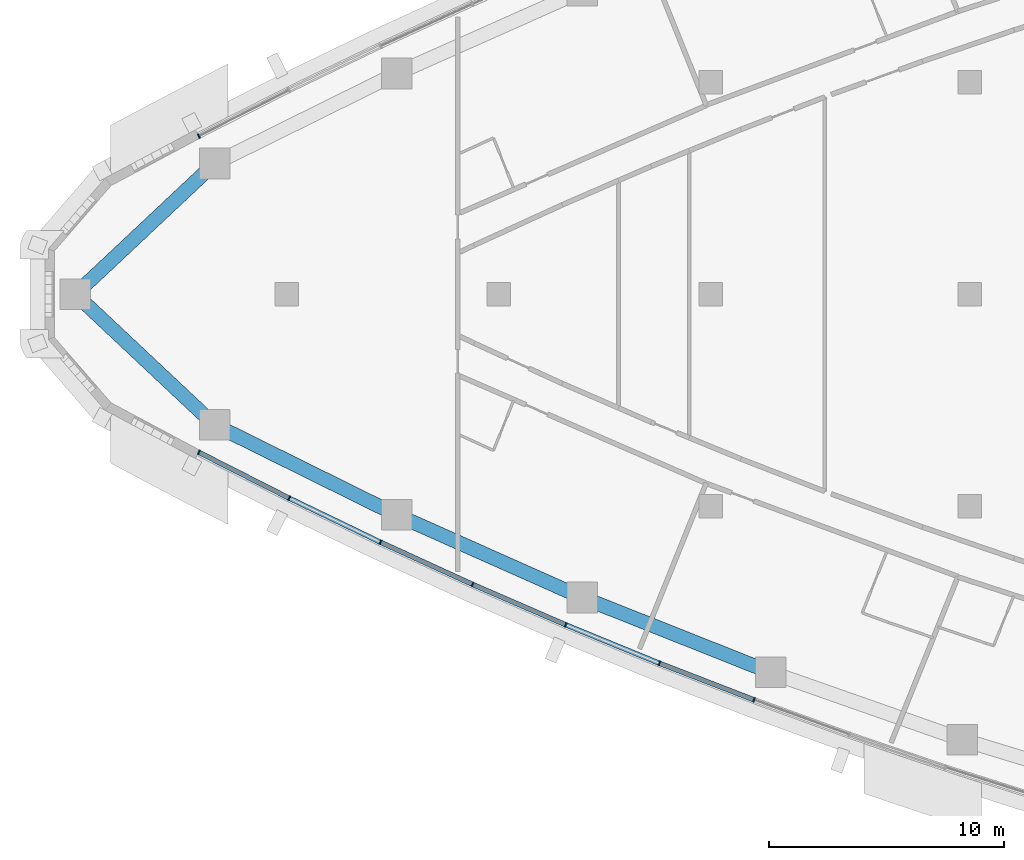
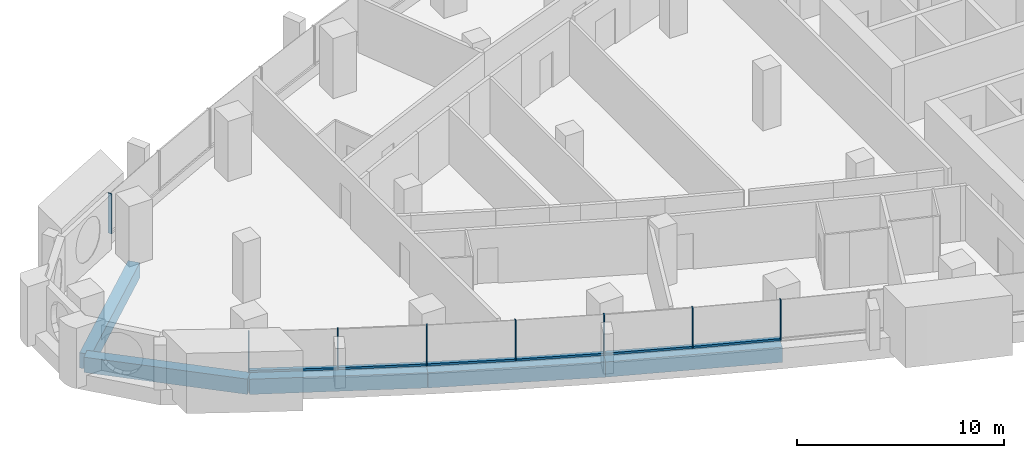
# One storey, part 2 of 16: 14 members, 5 beams, 4 elements without a shape of their own.
"""IFC4 building model written with IfcOpenShell, lengths in metres."""

import ifcopenshell
import ifcopenshell.guid

model = None  # the IFC model being written
_history = None  # IfcOwnerHistory: only IFC2X3 demands one
_inside = {}  # id of a spatial element -> (the spatial element, [elements in it])
_under = {}  # id of a project, library or spatial element -> (it, [spatial elements below it])
_declared = {}  # id of a project -> (the project, [libraries it declares])
_typed = {}  # id of a type object -> (the type object, [elements of that type])
_made_of = {}  # id of a material, layer set ... -> (it, [elements and type objects made of it])


def new_model(schema):
    """Start an empty IFC model of exactly this schema.

    Asked for "IFC4X3", IfcOpenShell would pick the latest addendum, in which some entities
    have other attributes; the version numbers below select the first issue.
    IFC2X3 requires an IfcOwnerHistory on every rooted entity: one is made here for all.
    """
    global model, _history
    if schema == "IFC4X3":
        model = ifcopenshell.file(schema_version=(4, 3, 0, 0))
    else:
        model = ifcopenshell.file(schema=schema)
    _inside.clear()
    _under.clear()
    _declared.clear()
    _typed.clear()
    _made_of.clear()
    _history = None
    if model.schema == "IFC2X3":
        org = make("IfcOrganization", Name="unknown")
        user = make(
            "IfcPersonAndOrganization",
            ThePerson=make("IfcPerson", FamilyName="unknown"),
            TheOrganization=org,
        )
        app = make(
            "IfcApplication",
            ApplicationDeveloper=org,
            Version="unknown",
            ApplicationFullName="unknown",
            ApplicationIdentifier="unknown",
        )
        _history = make(
            "IfcOwnerHistory",
            OwningUser=user,
            OwningApplication=app,
            ChangeAction="ADDED",
            CreationDate=0,
        )
    return model


def make(cls, **values):
    """One entity of the class cls with the attributes given. An attribute that is None is left unset."""
    return model.create_entity(
        cls, **{name: value for name, value in values.items() if value is not None}
    )


def rooted(cls, **values):
    """An entity with a GlobalId (a new one), such as an element, a storey or a relation."""
    return make(cls, GlobalId=ifcopenshell.guid.new(), OwnerHistory=_history, **values)


def si_unit(unit_type, name, prefix=None):
    """IfcSIUnit, for example si_unit("LENGTHUNIT", "METRE", prefix="MILLI")."""
    return make("IfcSIUnit", UnitType=unit_type, Prefix=prefix, Name=name)


def assignment(units):
    """IfcUnitAssignment: the units of a project."""
    return None if units is None else make("IfcUnitAssignment", Units=units)


def point(xyz):
    """IfcCartesianPoint."""
    return None if xyz is None else make("IfcCartesianPoint", Coordinates=xyz)


def direction(xyz):
    """IfcDirection."""
    return None if xyz is None else make("IfcDirection", DirectionRatios=xyz)


def frame(location, z_axis=None, x_axis=None):
    """IfcAxis2Placement3D, a coordinate frame: its origin and axes. An axis left out is left unset."""
    return make(
        "IfcAxis2Placement3D",
        Location=point(location),
        Axis=direction(z_axis),
        RefDirection=direction(x_axis),
    )


def frame_2d(location, x_axis=None):
    """IfcAxis2Placement2D, a coordinate frame in the plane: its origin and x axis."""
    return make(
        "IfcAxis2Placement2D", Location=point(location), RefDirection=direction(x_axis)
    )


def origin():
    """The frame at (0, 0, 0) with its axes left unset."""
    return frame((0.0, 0.0, 0.0))


def origin_2d():
    """The frame at (0, 0) in the plane with its x axis left unset."""
    return frame_2d((0.0, 0.0))


def place(relative_to, where):
    """IfcLocalPlacement: puts the frame where relative to a parent placement (None: the world)."""
    return make(
        "IfcLocalPlacement", PlacementRelTo=relative_to, RelativePlacement=where
    )


def context(
    kind, dimensions, precision=None, world=None, true_north=None, identifier=None
):
    """IfcGeometricRepresentationContext, for example the 3D "Model" context."""
    return make(
        "IfcGeometricRepresentationContext",
        ContextIdentifier=identifier,
        ContextType=kind,
        CoordinateSpaceDimension=dimensions,
        Precision=precision,
        WorldCoordinateSystem=world,
        TrueNorth=true_north,
    )


def subcontext(parent, identifier, kind, view, scale=None):
    """IfcGeometricRepresentationSubContext, for example "Body" below "Model"."""
    return make(
        "IfcGeometricRepresentationSubContext",
        ContextIdentifier=identifier,
        ContextType=kind,
        ParentContext=parent,
        TargetScale=scale,
        TargetView=view,
    )


def project(units=None, contexts=None):
    """IfcProject with its units and contexts."""
    return rooted(
        "IfcProject",
        Name="project",
        RepresentationContexts=contexts,
        UnitsInContext=assignment(units),
    )


def spatial(cls, under=None, at=None, **own):
    """A site, building, storey or space (cls), placed at a placement, below another one or the project."""
    s = rooted(cls, ObjectPlacement=at, **own)
    if under is not None:
        _under.setdefault(under.id(), (under, []))[1].append(s)
    return s


def profile(cls, at=None, kind="AREA", **sizes):
    """A parametric profile (cls). Its sizes go by their IFC names, for example OverallWidth=200.0."""
    return make(cls, ProfileType=kind, Position=at, **sizes)


def rectangle(**sizes):
    """IfcRectangleProfileDef."""
    return profile("IfcRectangleProfileDef", **sizes)


def extrude(swept, where, along, depth):
    """IfcExtrudedAreaSolid: the profile swept, set in the frame where, extruded along a direction by depth."""
    return make(
        "IfcExtrudedAreaSolid",
        SweptArea=swept,
        Position=where,
        ExtrudedDirection=direction(along),
        Depth=depth,
    )


def shape(context_of_items, identifier, shape_type, items):
    """IfcShapeRepresentation: the items that make up one representation, for example the "Body"."""
    return make(
        "IfcShapeRepresentation",
        ContextOfItems=context_of_items,
        RepresentationIdentifier=identifier,
        RepresentationType=shape_type,
        Items=items,
    )


def material(Name=None, Category=None):
    """IfcMaterial."""
    return make("IfcMaterial", Name=Name, Category=Category)


def layer(
    of_material, thickness, ventilated=None, Name=None, Category=None, Priority=None
):
    """IfcMaterialLayer: one layer of a wall or slab, of a material (None: an air gap)."""
    return make(
        "IfcMaterialLayer",
        Material=of_material,
        LayerThickness=thickness,
        IsVentilated=ventilated,
        Name=Name,
        Category=Category,
        Priority=Priority,
    )


def layer_set(layers, Name=None):
    """IfcMaterialLayerSet."""
    return make("IfcMaterialLayerSet", MaterialLayers=layers, LayerSetName=Name)


def material_profile(
    of_material, cross_section, Name=None, Category=None, Priority=None
):
    """IfcMaterialProfile: a cross section and its material."""
    return make(
        "IfcMaterialProfile",
        Name=Name,
        Material=of_material,
        Profile=cross_section,
        Priority=Priority,
        Category=Category,
    )


def profile_set(profiles, Name=None, composite=None):
    """IfcMaterialProfileSet."""
    return make(
        "IfcMaterialProfileSet",
        Name=Name,
        MaterialProfiles=profiles,
        CompositeProfile=composite,
    )


def made_of(thing, what):
    """Note that an element or type object is made of a material, layer set ...; save() writes the relation."""
    if what is not None:
        _made_of.setdefault(what.id(), (what, []))[1].append(thing)
    return thing


def type_object(cls, material=None, **own):
    """A type object (cls), such as IfcWallType, which elements share."""
    return made_of(rooted(cls, **own), material)


def element(
    cls,
    number,
    at=None,
    inside=None,
    cuts=None,
    type_object=None,
    material=None,
    context=None,
    identifier="Body",
    shape_type=None,
    held_by="IfcProductDefinitionShape",
    body=None,
    shapes=None,
    **own,
):
    """One element of the class cls, such as IfcWall. Its Tag is "e" and its number.

    at: its placement. inside: the storey or other place that contains it. cuts: it is an
    opening in that element (IfcRelVoidsElement). A single representation is given by context,
    identifier, shape_type and body (its items); several are given by shapes. held_by: the class
    of the entity that holds the representations. save() writes the other relations.
    """
    e = rooted(cls, Tag="e%d" % number, ObjectPlacement=at, **own)
    if body is not None:
        shapes = [shape(context, identifier, shape_type, body)]
    if shapes is not None:
        e.Representation = make(held_by, Representations=shapes)
    if inside is not None:
        _inside.setdefault(inside.id(), (inside, []))[1].append(e)
    if cuts is not None:
        rooted(
            "IfcRelVoidsElement", RelatingBuildingElement=cuts, RelatedOpeningElement=e
        )
    if type_object is not None:
        _typed.setdefault(type_object.id(), (type_object, []))[1].append(e)
    return made_of(e, material)


def aggregate(whole, parts):
    """IfcRelAggregates: a whole, such as a stair, and the parts it consists of."""
    return rooted("IfcRelAggregates", RelatingObject=whole, RelatedObjects=parts)


def save(model, path):
    """Write the relations noted so far, then the file.

    IfcRelAggregates (storeys below a building ...), IfcRelContainedInSpatialStructure (elements
    in a storey), IfcRelDefinesByType, IfcRelAssociatesMaterial and IfcRelDeclares: one each for
    every whole, place, type object, material and project.
    """
    for whole, parts in _under.values():
        aggregate(whole, parts)
    for where, things in _inside.values():
        rooted(
            "IfcRelContainedInSpatialStructure",
            RelatedElements=things,
            RelatingStructure=where,
        )
    for kind, things in _typed.values():
        rooted("IfcRelDefinesByType", RelatedObjects=things, RelatingType=kind)
    for what, things in _made_of.values():
        rooted("IfcRelAssociatesMaterial", RelatedObjects=things, RelatingMaterial=what)
    for by, libraries in _declared.values():
        rooted("IfcRelDeclares", RelatingContext=by, RelatedDefinitions=libraries)
    model.write(path)


model = new_model("IFC4")

# Units and contexts
model_context = context("Model", 3, precision=1e-05, world=origin(), true_north=direction((0.0, 1.0)))
body_context = subcontext(model_context, "Body", "Model", "MODEL_VIEW")
ifc_project = project(units=[si_unit("LENGTHUNIT", "METRE"), si_unit("AREAUNIT", "SQUARE_METRE"), si_unit("VOLUMEUNIT", "CUBIC_METRE"), si_unit("PLANEANGLEUNIT", "RADIAN"), si_unit("MASSUNIT", "GRAM", prefix="KILO")], contexts=[model_context])

# Site, building, storey
site_placement = place(None, origin())
site = spatial("IfcSite", under=ifc_project, at=site_placement, CompositionType="ELEMENT")
building_placement = place(site_placement, origin())
building = spatial("IfcBuilding", under=site, at=building_placement, Name="Ostrand Prow Hotel Tower", CompositionType="ELEMENT")
storey_placement = place(building_placement, frame((0.0, 0.0, 189.699951171875)))
storey = spatial("IfcBuildingStorey", under=building, at=storey_placement, Name="L47", CompositionType="ELEMENT", Elevation=189.699951171875)

# Beams
ifc_material_1 = material(Name="Concrete C60/75", Category="concrete")
ifc_material_profile_1 = material_profile(ifc_material_1, rectangle(XDim=0.60009765625, YDim=0.89990234375, at=origin_2d()), Name="RC 600x900")
ifc_profile_set_1 = profile_set([ifc_material_profile_1], Name="Concrete C60/75")
beam_type = type_object("IfcBeamType", Name="Edge beam 600x900 C60/75", PredefinedType="SPANDREL", material=ifc_profile_set_1)
beam_1_placement = place(storey_placement, frame((7.01708984375, 0.0, -0.75), z_axis=(0.728960507808, -0.684555752336, 0.0), x_axis=(0.684555752336, 0.728960507808, 0.0)))
element("IfcBeam", 1, at=beam_1_placement, inside=storey, type_object=beam_type, Name="Edge beam P-S1", PredefinedType="SPANDREL", context=body_context, shape_type="SweptSolid", body=[
    extrude(rectangle(XDim=0.60009765625, YDim=0.89990234375, at=origin_2d()), origin(), (0.0, 0.0, 1.0), 8.109619140625),
])
beam_2_placement = place(storey_placement, frame((12.9287109375, -5.551513671875, -0.75), z_axis=(0.896383774903, -0.443278837856, 0.0), x_axis=(0.443278837856, 0.896383774903, 0.0)))
element("IfcBeam", 2, at=beam_2_placement, inside=storey, type_object=beam_type, Name="Edge beam S1-S2", PredefinedType="SPANDREL", context=body_context, shape_type="SweptSolid", body=[
    extrude(rectangle(XDim=0.60009765625, YDim=0.89990234375, at=origin_2d()), origin(), (0.0, 0.0, 1.0), 8.62158203125),
])
for number, where, z_axis, x_axis, name in (
    (3, (20.656982421875, -9.373291015625, -0.75), (0.91364332073, -0.406516767779, 0.0), (0.406516767779, 0.91364332073, 0.0), "Edge beam S2-S3"),
    (4, (28.5341796875, -12.878173828125, -0.75), (0.929376173753, -0.36913402398, 0.0), (0.36913402398, 0.929376173753, 0.0), "Edge beam S3-S4"),
):
    element("IfcBeam", number, at=place(storey_placement, frame(where, z_axis=z_axis, x_axis=x_axis)), inside=storey, type_object=beam_type, Name=name, PredefinedType="SPANDREL", context=body_context, shape_type="SweptSolid", body=[
        extrude(rectangle(XDim=0.60009765625, YDim=0.89990234375, at=origin_2d()), origin(), (0.0, 0.0, 1.0), 8.621826171875),
    ])
beam_3_placement = place(storey_placement, frame((12.9287109375, 5.551513671875, -0.75), z_axis=(-0.728960507808, -0.684555752336, 0.0), x_axis=(0.684555752336, -0.728960507808, 0.0)))
element("IfcBeam", 5, at=beam_3_placement, inside=storey, type_object=beam_type, Name="Edge beam N6-P", PredefinedType="SPANDREL", context=body_context, shape_type="SweptSolid", body=[
    extrude(rectangle(XDim=0.60009765625, YDim=0.89990234375, at=origin_2d()), origin(), (0.0, 0.0, 1.0), 8.109619140625),
])

# Curtain wall, members
ifc_material_2 = material(Name="Insulated glass in bronze anodised frame", Category="glass")
ifc_layer = layer(ifc_material_2, 0.199951171875)
ifc_layer_set = layer_set([ifc_layer], Name="Insulated glass in bronze anodised frame")
curtain_wall_type = type_object("IfcCurtainWallType", Name="Strip curtain wall, fritted glass over bronze spandrel", PredefinedType="NOTDEFINED", material=ifc_layer_set)
curtain_wall_1_placement = place(storey_placement, origin())
curtain_wall_1 = element("IfcCurtainWall", 6, at=curtain_wall_1_placement, inside=storey, type_object=curtain_wall_type, Name="CW1 run CWS1", PredefinedType="NOTDEFINED")
ifc_material_3 = material(Name="Bronze anodised aluminium", Category="aluminium")
ifc_material_profile_2 = material_profile(ifc_material_3, rectangle(XDim=0.199951171875, YDim=0.06005859375, at=origin_2d()), Name="Mullion 60x200 bronze anodised aluminium")
ifc_profile_set_2 = profile_set([ifc_material_profile_2], Name="Bronze anodised aluminium")
member_type_1 = type_object("IfcMemberType", Name="Mullion 60x200 bronze anodised aluminium", PredefinedType="MULLION", material=ifc_profile_set_2)
member_1_placement = place(storey_placement, frame((12.255859375, -6.71240234375, 0.900146484375), z_axis=(0.0, 0.0, 1.0), x_axis=(0.452658828186, 0.891683792196, 0.0)))
member_1 = element("IfcMember", 7, at=member_1_placement, type_object=member_type_1, Name="CW1 mullion 1", PredefinedType="MULLION", context=body_context, shape_type="SweptSolid", body=[
    extrude(rectangle(XDim=0.199951171875, YDim=0.06005859375, at=origin_2d()), origin(), (0.0, 0.0, 1.0), 2.349853515625),
])
member_2_placement = place(storey_placement, frame((16.0947265625, -8.660888671875, 0.900146484375), z_axis=(0.0, 0.0, 1.0), x_axis=(0.434615027304, 0.90061633232, 0.0)))
member_2 = element("IfcMember", 8, at=member_2_placement, type_object=member_type_1, Name="CW1 mullion 2", PredefinedType="MULLION", context=body_context, shape_type="SweptSolid", body=[
    extrude(rectangle(XDim=0.199951171875, YDim=0.06005859375, at=origin_2d()), origin(), (0.0, 0.0, 1.0), 2.349853515625),
])
member_3_placement = place(storey_placement, frame((19.971923828125, -10.531982421875, 0.900146484375), z_axis=(0.0, 0.0, 1.0), x_axis=(0.434615027304, 0.90061633232, 0.0)))
member_3 = element("IfcMember", 9, at=member_3_placement, type_object=member_type_1, Name="CW1 mullion 3", PredefinedType="MULLION", context=body_context, shape_type="SweptSolid", body=[
    extrude(rectangle(XDim=0.199951171875, YDim=0.06005859375, at=origin_2d()), origin(), (0.0, 0.0, 1.0), 2.349853515625),
])

curtain_wall_2_placement = place(storey_placement, origin())
curtain_wall_2 = element("IfcCurtainWall", 10, at=curtain_wall_2_placement, inside=storey, type_object=curtain_wall_type, Name="CW1 run CWS2", PredefinedType="NOTDEFINED")
member_4_placement = place(storey_placement, frame((23.885986328125, -12.32470703125, 0.900146484375), z_axis=(0.0, 0.0, 1.0), x_axis=(0.398004671812, 0.917383388347, 0.0)))
member_4 = element("IfcMember", 11, at=member_4_placement, type_object=member_type_1, Name="CW1 mullion 2", PredefinedType="MULLION", context=body_context, shape_type="SweptSolid", body=[
    extrude(rectangle(XDim=0.199951171875, YDim=0.06005859375, at=origin_2d()), origin(), (0.0, 0.0, 1.0), 2.349853515625),
])
member_5_placement = place(storey_placement, frame((27.83544921875, -14.0380859375, 0.900146484375), z_axis=(0.0, 0.0, 1.0), x_axis=(0.398004671812, 0.917383388347, 0.0)))
member_5 = element("IfcMember", 12, at=member_5_placement, type_object=member_type_1, Name="CW1 mullion 3", PredefinedType="MULLION", context=body_context, shape_type="SweptSolid", body=[
    extrude(rectangle(XDim=0.199951171875, YDim=0.06005859375, at=origin_2d()), origin(), (0.0, 0.0, 1.0), 2.349853515625),
])

curtain_wall_3_placement = place(storey_placement, origin())
curtain_wall_3 = element("IfcCurtainWall", 13, at=curtain_wall_3_placement, inside=storey, type_object=curtain_wall_type, Name="CW1 run CWS3", PredefinedType="NOTDEFINED")
member_6_placement = place(storey_placement, frame((31.818603515625, -15.671630859375, 0.900146484375), z_axis=(0.0, 0.0, 1.0), x_axis=(0.360748970732, 0.932662950972, 0.0)))
member_6 = element("IfcMember", 14, at=member_6_placement, type_object=member_type_1, Name="CW1 mullion 2", PredefinedType="MULLION", context=body_context, shape_type="SweptSolid", body=[
    extrude(rectangle(XDim=0.199951171875, YDim=0.06005859375, at=origin_2d()), origin(), (0.0, 0.0, 1.0), 2.349853515625),
])
member_7_placement = place(storey_placement, frame((35.833740234375, -17.224609375, 0.900146484375), z_axis=(0.0, 0.0, 1.0), x_axis=(0.360748970732, 0.932662950972, 0.0)))
member_7 = element("IfcMember", 15, at=member_7_placement, type_object=member_type_1, Name="CW1 mullion 3", PredefinedType="MULLION", context=body_context, shape_type="SweptSolid", body=[
    extrude(rectangle(XDim=0.199951171875, YDim=0.06005859375, at=origin_2d()), origin(), (0.0, 0.0, 1.0), 2.349853515625),
])

# Curtain wall, member
curtain_wall_4_placement = place(storey_placement, origin())
curtain_wall_4 = element("IfcCurtainWall", 16, at=curtain_wall_4_placement, inside=storey, type_object=curtain_wall_type, Name="CW1 run CWN5", PredefinedType="NOTDEFINED")
member_8_placement = place(storey_placement, frame((12.255859375, 6.71240234375, 0.900146484375), z_axis=(0.0, 0.0, 1.0), x_axis=(0.452658828186, -0.891683792196, 0.0)))
member_8 = element("IfcMember", 17, at=member_8_placement, type_object=member_type_1, Name="CW1 mullion 3", PredefinedType="MULLION", context=body_context, shape_type="SweptSolid", body=[
    extrude(rectangle(XDim=0.199951171875, YDim=0.06005859375, at=origin_2d()), origin(), (0.0, 0.0, 1.0), 2.349853515625),
])
aggregate(curtain_wall_4, [member_8])

# Member
ifc_material_4 = material(Name="Bronze anodised aluminium", Category="aluminium")
ifc_material_profile_3 = material_profile(ifc_material_4, rectangle(XDim=0.199951171875, YDim=0.1201171875, at=origin_2d()), Name="Transom 120x200 bronze anodised aluminium")
ifc_profile_set_3 = profile_set([ifc_material_profile_3], Name="Bronze anodised aluminium")
member_type_2 = type_object("IfcMemberType", Name="Transom 120x200 bronze anodised aluminium", PredefinedType="USERDEFINED", material=ifc_profile_set_3)
member_9_placement = place(storey_placement, frame((12.28271484375, -6.725830078125, 0.9599609375), z_axis=(0.891672840777, -0.452680400526, 0.0), x_axis=(0.452680400526, 0.891672840777, 0.0)))
member_9 = element("IfcMember", 18, at=member_9_placement, type_object=member_type_2, Name="CW1 transom 1.1", ObjectType="TRANSOM", PredefinedType="USERDEFINED", context=body_context, shape_type="SweptSolid", body=[
    extrude(rectangle(XDim=0.199951171875, YDim=0.1201171875, at=origin_2d()), origin(), (0.0, 0.0, 1.0), 4.2451171875),
])

member_10_placement = place(storey_placement, frame((16.12158203125, -8.674072265625, 0.9599609375), z_axis=(0.900619174345, -0.434609137965, 0.0), x_axis=(0.434609137965, 0.900619174345, 0.0)))
member_10 = element("IfcMember", 19, at=member_10_placement, type_object=member_type_2, Name="CW1 transom 2.1", ObjectType="TRANSOM", PredefinedType="USERDEFINED", context=body_context, shape_type="SweptSolid", body=[
    extrude(rectangle(XDim=0.199951171875, YDim=0.1201171875, at=origin_2d()), origin(), (0.0, 0.0, 1.0), 4.2451171875),
])

aggregate(curtain_wall_1, [member_1, member_2, member_3, member_9, member_10])

member_11_placement = place(storey_placement, frame((19.999267578125, -10.54443359375, 0.9599609375), z_axis=(0.909159196143, -0.416448743628, 0.0), x_axis=(0.416448743628, 0.909159196143, 0.0)))
member_11 = element("IfcMember", 20, at=member_11_placement, type_object=member_type_2, Name="CW1 transom 1.1", ObjectType="TRANSOM", PredefinedType="USERDEFINED", context=body_context, shape_type="SweptSolid", body=[
    extrude(rectangle(XDim=0.199951171875, YDim=0.1201171875, at=origin_2d()), origin(), (0.0, 0.0, 1.0), 4.244873046875),
])

member_12_placement = place(storey_placement, frame((23.91357421875, -12.336669921875, 0.9599609375), z_axis=(0.917389785482, -0.397989926371, 0.0), x_axis=(0.397989926371, 0.917389785482, 0.0)))
member_12 = element("IfcMember", 21, at=member_12_placement, type_object=member_type_2, Name="CW1 transom 2.1", ObjectType="TRANSOM", PredefinedType="USERDEFINED", context=body_context, shape_type="SweptSolid", body=[
    extrude(rectangle(XDim=0.199951171875, YDim=0.1201171875, at=origin_2d()), origin(), (0.0, 0.0, 1.0), 4.244873046875),
])

aggregate(curtain_wall_2, [member_4, member_5, member_11, member_12])

member_13_placement = place(storey_placement, frame((27.863037109375, -14.049560546875, 0.9599609375), z_axis=(0.925213143858, -0.379447807258, 0.0), x_axis=(0.379447807258, 0.925213143858, 0.0)))
member_13 = element("IfcMember", 22, at=member_13_placement, type_object=member_type_2, Name="CW1 transom 1.1", ObjectType="TRANSOM", PredefinedType="USERDEFINED", context=body_context, shape_type="SweptSolid", body=[
    extrude(rectangle(XDim=0.199951171875, YDim=0.1201171875, at=origin_2d()), origin(), (0.0, 0.0, 1.0), 4.2451171875),
])

member_14_placement = place(storey_placement, frame((31.846435546875, -15.6826171875, 0.9599609375), z_axis=(0.932675482501, -0.360716570651, 0.0), x_axis=(0.360716570651, 0.932675482501, 0.0)))
member_14 = element("IfcMember", 23, at=member_14_placement, type_object=member_type_2, Name="CW1 transom 2.1", ObjectType="TRANSOM", PredefinedType="USERDEFINED", context=body_context, shape_type="SweptSolid", body=[
    extrude(rectangle(XDim=0.199951171875, YDim=0.1201171875, at=origin_2d()), origin(), (0.0, 0.0, 1.0), 4.2451171875),
])

aggregate(curtain_wall_3, [member_6, member_7, member_13, member_14])

save(model, "model.ifc")
